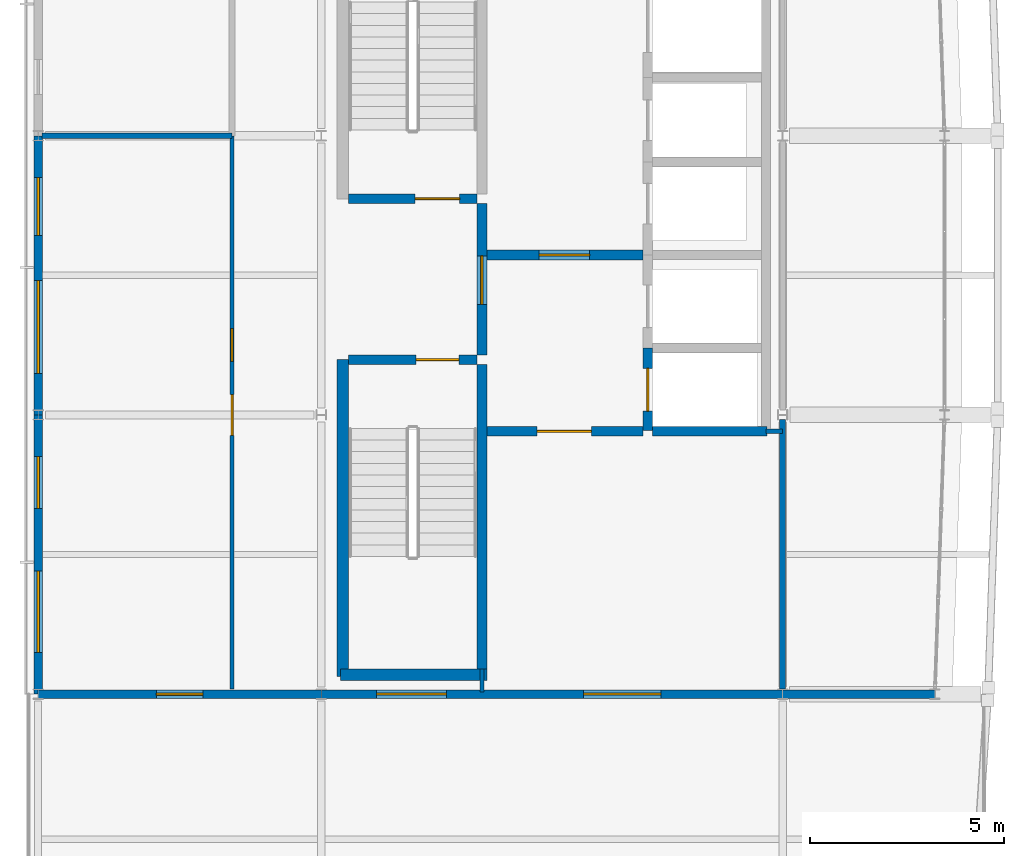
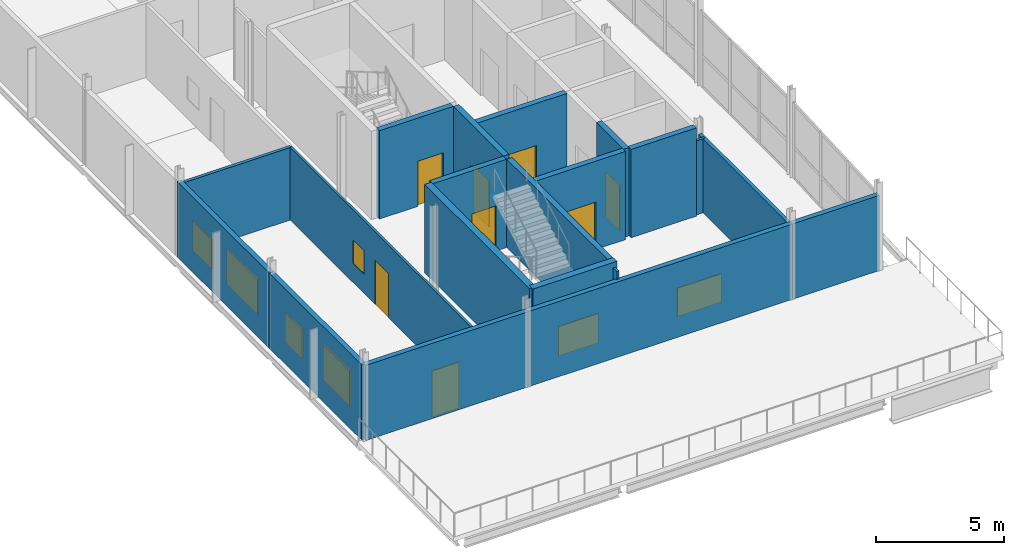
# One storey, part 13 of 17: 20 walls, 8 doors, 7 windows, 15 openings.
"""IFC4 building model written with IfcOpenShell, lengths in metres."""

from ifc_helpers import new_model, si_unit, direction, frame, frame_2d, origin, place, context, subcontext, project, spatial, rectangle, extrude, material, layer, layer_set, type_object, element, fill, save


model = new_model("IFC4")

# Units and contexts
model_context = context("Model", 3, precision=1e-05, world=origin(), true_north=direction((0.0, 1.0)))
body_context = subcontext(model_context, "Body", "Model", "MODEL_VIEW")
ifc_project = project(units=[si_unit("LENGTHUNIT", "METRE"), si_unit("AREAUNIT", "SQUARE_METRE"), si_unit("VOLUMEUNIT", "CUBIC_METRE"), si_unit("PLANEANGLEUNIT", "RADIAN"), si_unit("MASSUNIT", "GRAM", prefix="KILO")], contexts=[model_context])

# Site, building, storey
site_placement = place(None, origin())
site = spatial("IfcSite", under=ifc_project, at=site_placement, CompositionType="ELEMENT")
building_placement = place(site_placement, origin())
building = spatial("IfcBuilding", under=site, at=building_placement, Name="Quillay Park Conservatory", CompositionType="ELEMENT")
storey_placement = place(building_placement, frame((0.0, 0.0, 60.300048828125)))
storey = spatial("IfcBuildingStorey", under=building, at=storey_placement, Name="L14", CompositionType="ELEMENT", Elevation=60.300048828125)

# Wall, openings, window, door
ifc_material_1 = material(Name="Steel-Stud Acoustic Gypsum Board Partition", Category="steel")
ifc_layer_1 = layer(ifc_material_1, 0.10009765625)
ifc_layer_set_1 = layer_set([ifc_layer_1], Name="ACOUSTIC GYPSUM PARTITION 100 (Steel-Stud Acoustic Gypsum Board Partition)")
wall_type_1 = type_object("IfcWallType", Name="ACOUSTIC GYPSUM PARTITION 100", PredefinedType="PARTITIONING", material=ifc_layer_set_1)
wall_1_placement = place(storey_placement, frame((5.550048828125, 78.125, 0.0), z_axis=(0.0, 0.0, 1.0), x_axis=(0.0, 1.0, 0.0)))
wall_1 = element("IfcWall", 1, at=wall_1_placement, inside=storey, type_object=wall_type_1, Name="L14 Visiting Botanists Research Studio Corridor Wall", PredefinedType="PARTITIONING", context=body_context, shape_type="SweptSolid", body=[
    extrude(rectangle(XDim=14.27490234375, YDim=0.10009765625, at=frame_2d((7.137451171875, 0.0))), origin(), (0.0, 0.0, 1.0), 3.450927734375),
])
opening_1_placement = place(wall_1_placement, frame((6.550048828125, 0.0, 0.0)))
opening_1 = element("IfcOpeningElement", 2, at=opening_1_placement, cuts=wall_1, Name="Opening D-RM05", PredefinedType="OPENING", context=body_context, shape_type="SweptSolid", body=[
    extrude(rectangle(XDim=1.050048828125, YDim=2.10009765625, at=frame_2d((0.52490234375, 1.050048828125))), frame((0.0, 0.050048828125, 0.0), z_axis=(0.0, -1.0, 0.0), x_axis=(1.0, 0.0, 0.0)), (0.0, 0.0, 1.0), 0.10009765625),
])
opening_2_placement = place(wall_1_placement, frame((8.449951171875, 0.0, 0.919921875)))
opening_2 = element("IfcOpeningElement", 3, at=opening_2_placement, cuts=wall_1, Name="Opening W-IN01", PredefinedType="OPENING", context=body_context, shape_type="SweptSolid", body=[
    extrude(rectangle(XDim=0.85009765625, YDim=1.10009765625, at=frame_2d((0.425048828125, 0.550048828125))), frame((0.0, 0.050048828125, 0.0), z_axis=(0.0, -1.0, 0.0), x_axis=(1.0, 0.0, 0.0)), (0.0, 0.0, 1.0), 0.10009765625),
])
ifc_material_2 = material(Name="Low-E Double Glazing (Laminated Tempered)", Category="glass")
window_type_1 = type_object("IfcWindowType", Name="OPERABLE VENT WINDOW 850 X1100", PartitioningType="SINGLE_PANEL", PredefinedType="WINDOW", material=ifc_material_2)
window_1_placement = place(opening_2_placement, origin())
window_1 = element("IfcWindow", 4, at=window_1_placement, inside=storey, type_object=window_type_1, Name="L14 Laboratory Vision Panel 049", OverallHeight=1.10009765625, OverallWidth=0.85009765625, PartitioningType="SINGLE_PANEL", PredefinedType="WINDOW", context=body_context, shape_type="SweptSolid", body=[
    extrude(rectangle(XDim=0.85009765625, YDim=1.10009765625, at=frame_2d((0.425048828125, 0.550048828125))), frame((0.0, 0.030029296875, 0.0), z_axis=(0.0, -1.0, 0.0), x_axis=(1.0, 0.0, 0.0)), (0.0, 0.0, 1.0), 0.06005859375),
])
fill(opening_2, window_1)
ifc_material_3 = material(Name="Thermally Broken Anodised Aluminium 6063-T6", Category="aluminium")
door_type_1 = type_object("IfcDoorType", Name="SINGLE SWING DOOR 1050 X2100", OperationType="NOTDEFINED", PredefinedType="DOOR", material=ifc_material_3)
door_1_placement = place(opening_1_placement, origin())
door_1 = element("IfcDoor", 5, at=door_1_placement, inside=storey, type_object=door_type_1, Name="L14 Door to Visiting Botanists Research Studio", OperationType="SINGLE_SWING_LEFT", OverallHeight=2.10009765625, OverallWidth=1.050048828125, PredefinedType="DOOR", context=body_context, shape_type="SweptSolid", body=[
    extrude(rectangle(XDim=1.050048828125, YDim=2.10009765625, at=frame_2d((0.52490234375, 1.050048828125))), frame((0.0, 0.02490234375, 0.0), z_axis=(0.0, -1.0, 0.0), x_axis=(1.0, 0.0, 0.0)), (0.0, 0.0, 1.0), 0.050048828125),
])
fill(opening_1, door_1)

# Walls
ifc_material_4 = material(Name="Steel-Stud Acoustic Gypsum Board Partition", Category="steel")
ifc_layer_2 = layer(ifc_material_4, 0.10498046875)
ifc_layer_set_2 = layer_set([ifc_layer_2], Name="ACOUSTIC GYPSUM PARTITION 105 (Steel-Stud Acoustic Gypsum Board Partition)")
wall_type_2 = type_object("IfcWallType", Name="ACOUSTIC GYPSUM PARTITION 105", PredefinedType="PARTITIONING", material=ifc_layer_set_2)
wall_2_placement = place(storey_placement, frame((11.9951171875, 78.050048828125, 0.0), z_axis=(0.0, 0.0, 1.0), x_axis=(0.0, 1.0, 0.0)))
element("IfcWall", 6, at=wall_2_placement, inside=storey, type_object=wall_type_2, Name="L14 South Core West Pier Closure", PredefinedType="PARTITIONING", context=body_context, shape_type="SweptSolid", body=[
    extrude(rectangle(XDim=0.599853515625, YDim=0.10498046875, at=frame_2d((0.2998046875, 0.0))), origin(), (0.0, 0.0, 1.0), 3.949951171875),
])
ifc_material_5 = material(Name="Steel-Stud Acoustic Gypsum Board Partition", Category="steel")
ifc_layer_3 = layer(ifc_material_5, 0.114990234375)
ifc_layer_set_3 = layer_set([ifc_layer_3], Name="ACOUSTIC GYPSUM PARTITION 115 (Steel-Stud Acoustic Gypsum Board Partition)")
wall_type_3 = type_object("IfcWallType", Name="ACOUSTIC GYPSUM PARTITION 115", PredefinedType="PARTITIONING", material=ifc_layer_set_3)
wall_3_placement = place(storey_placement, frame((19.320068359375, 84.77490234375, 0.0), z_axis=(0.0, 0.0, 1.0), x_axis=(1.0, 0.0, 0.0)))
element("IfcWall", 7, at=wall_3_placement, inside=storey, type_object=wall_type_3, Name="L14 Core South-East Closure", PredefinedType="PARTITIONING", context=body_context, shape_type="SweptSolid", body=[
    extrude(rectangle(XDim=0.429931640625, YDim=0.114990234375, at=frame_2d((0.21484375, 0.0))), origin(), (0.0, 0.0, 1.0), 3.52685546875),
])
ifc_material_6 = material(Name="Steel-Stud Acoustic Gypsum Board Partition", Category="steel")
ifc_layer_4 = layer(ifc_material_6, 0.139892578125)
ifc_layer_set_4 = layer_set([ifc_layer_4], Name="ACOUSTIC GYPSUM PARTITION 140 (Steel-Stud Acoustic Gypsum Board Partition)")
wall_type_4 = type_object("IfcWallType", Name="ACOUSTIC GYPSUM PARTITION 140", PredefinedType="PARTITIONING", material=ifc_layer_set_4)
wall_4_placement = place(storey_placement, frame((0.64990234375, 92.39990234375, 0.0), z_axis=(0.0, 0.0, 1.0), x_axis=(1.0, 0.0, 0.0)))
element("IfcWall", 8, at=wall_4_placement, inside=storey, type_object=wall_type_4, Name="L14 West Divider 92", PredefinedType="PARTITIONING", context=body_context, shape_type="SweptSolid", body=[
    extrude(rectangle(XDim=4.900146484375, YDim=0.139892578125, at=frame_2d((2.4501953125, 0.0))), origin(), (0.0, 0.0, 1.0), 3.450927734375),
])
ifc_material_7 = material(Name="Steel-Stud Acoustic Gypsum Board Partition", Category="steel")
ifc_layer_5 = layer(ifc_material_7, 0.14990234375)
ifc_layer_set_5 = layer_set([ifc_layer_5], Name="ACOUSTIC GYPSUM PARTITION 150 (Steel-Stud Acoustic Gypsum Board Partition)")
wall_type_5 = type_object("IfcWallType", Name="ACOUSTIC GYPSUM PARTITION 150", PredefinedType="PARTITIONING", material=ifc_layer_set_5)
wall_5_placement = place(storey_placement, frame((19.75, 78.125, 0.0), z_axis=(0.0, 0.0, 1.0), x_axis=(0.0, 1.0, 0.0)))
element("IfcWall", 9, at=wall_5_placement, inside=storey, type_object=wall_type_5, Name="L14 Andean Cordillera Climate Observatory Studio West Wall 1", PredefinedType="PARTITIONING", context=body_context, shape_type="SweptSolid", body=[
    extrude(rectangle(XDim=6.951904296875, YDim=0.14990234375, at=frame_2d((3.47607421875, 0.0))), origin(), (0.0, 0.0, 1.0), 3.52685546875),
])
ifc_material_8 = material(Name="Concrete C40/50 (NCh170 Concrete C40/50)", Category="concrete")
ifc_layer_6 = layer(ifc_material_8, 0.25)
ifc_layer_set_6 = layer_set([ifc_layer_6], Name="CORE SHEAR WALL 250 (Concrete C40/50 (NCh170 Concrete C40/50))")
wall_type_6 = type_object("IfcWallType", Name="CORE SHEAR WALL 250", PredefinedType="SHEAR", material=ifc_layer_set_6)
wall_6_placement = place(storey_placement, frame((11.9951171875, 78.64990234375, 0.0), z_axis=(0.0, 0.0, 1.0), x_axis=(0.0, 1.0, 0.0)))
element("IfcWall", 10, at=wall_6_placement, inside=storey, type_object=wall_type_6, Name="L14 Core Shear Wall WL-T2E-L14", PredefinedType="SHEAR", context=body_context, shape_type="SweptSolid", body=[
    extrude(rectangle(XDim=7.85009765625, YDim=0.25, at=frame_2d((3.925048828125, 0.0))), origin(), (0.0, 0.0, 1.0), 4.199951171875),
])

# Wall, opening, door
wall_7_placement = place(storey_placement, frame((11.9951171875, 86.75, 0.0), z_axis=(0.0, 0.0, 1.0), x_axis=(0.0, 1.0, 0.0)))
wall_7 = element("IfcWall", 11, at=wall_7_placement, inside=storey, type_object=wall_type_6, Name="L14 Core Shear Wall WL-FFW-L14", PredefinedType="SHEAR", context=body_context, shape_type="SweptSolid", body=[
    extrude(rectangle(XDim=3.89990234375, YDim=0.25, at=frame_2d((1.949951171875, 0.0))), origin(), (0.0, 0.0, 1.0), 4.199951171875),
])
opening_3_placement = place(wall_7_placement, frame((1.300048828125, 0.0, 0.0)))
opening_3 = element("IfcOpeningElement", 12, at=opening_3_placement, cuts=wall_7, Name="Opening D-LB01", PredefinedType="OPENING", context=body_context, shape_type="SweptSolid", body=[
    extrude(rectangle(XDim=1.25, YDim=2.199951171875, at=frame_2d((0.625, 1.10009765625))), frame((0.0, 0.125, 0.0), z_axis=(0.0, -1.0, 0.0), x_axis=(1.0, 0.0, 0.0)), (0.0, 0.0, 1.0), 0.25),
])
ifc_material_9 = material(Name="Steel ASTM A572 Grade 50", Category="steel")
door_type_2 = type_object("IfcDoorType", Name="FIRE RATED LOBBY DOOR 1250 X2200", OperationType="NOTDEFINED", PredefinedType="DOOR", material=ifc_material_9)
door_2_placement = place(opening_3_placement, origin())
door_2 = element("IfcDoor", 13, at=door_2_placement, inside=storey, type_object=door_type_2, Name="L14 Firefighting Lobby Corridor Door", OperationType="SINGLE_SWING_LEFT", OverallHeight=2.199951171875, OverallWidth=1.25, PredefinedType="DOOR", context=body_context, shape_type="SweptSolid", body=[
    extrude(rectangle(XDim=1.25, YDim=2.199951171875, at=frame_2d((0.625, 1.10009765625))), frame((0.0, 0.02490234375, 0.0), z_axis=(0.0, -1.0, 0.0), x_axis=(1.0, 0.0, 0.0)), (0.0, 0.0, 1.0), 0.050048828125),
])
fill(opening_3, door_2)

wall_8_placement = place(storey_placement, frame((8.550048828125, 86.625, 0.0), z_axis=(0.0, 0.0, 1.0), x_axis=(1.0, 0.0, 0.0)))
wall_8 = element("IfcWall", 14, at=wall_8_placement, inside=storey, type_object=wall_type_6, Name="L14 Core Shear Wall WL-ST2D-L14", PredefinedType="SHEAR", context=body_context, shape_type="SweptSolid", body=[
    extrude(rectangle(XDim=3.320068359375, YDim=0.25, at=frame_2d((1.66015625, 0.0))), origin(), (0.0, 0.0, 1.0), 4.199951171875),
])
opening_4_placement = place(wall_8_placement, frame((1.75, 0.0, 0.0)))
opening_4 = element("IfcOpeningElement", 15, at=opening_4_placement, cuts=wall_8, Name="Opening D-ST01", PredefinedType="OPENING", context=body_context, shape_type="SweptSolid", body=[
    extrude(rectangle(XDim=1.10009765625, YDim=2.14990234375, at=frame_2d((0.550048828125, 1.074951171875))), frame((0.0, 0.125, 0.0), z_axis=(0.0, -1.0, 0.0), x_axis=(1.0, 0.0, 0.0)), (0.0, 0.0, 1.0), 0.25),
])
ifc_material_10 = material(Name="Steel ASTM A572 Grade 50", Category="steel")
door_type_3 = type_object("IfcDoorType", Name="FIRE RATED STAIR DOOR 1100 X2150", OperationType="NOTDEFINED", PredefinedType="DOOR", material=ifc_material_10)
door_3_placement = place(opening_4_placement, origin())
door_3 = element("IfcDoor", 16, at=door_3_placement, inside=storey, type_object=door_type_3, Name="L14 Protected Stair ST-T2 Door", OperationType="SINGLE_SWING_LEFT", OverallHeight=2.14990234375, OverallWidth=1.10009765625, PredefinedType="DOOR", context=body_context, shape_type="SweptSolid", body=[
    extrude(rectangle(XDim=1.10009765625, YDim=2.14990234375, at=frame_2d((0.550048828125, 1.074951171875))), frame((0.0, 0.02490234375, 0.0), z_axis=(0.0, -1.0, 0.0), x_axis=(1.0, 0.0, 0.0)), (0.0, 0.0, 1.0), 0.050048828125),
])
fill(opening_4, door_3)

wall_9_placement = place(storey_placement, frame((11.8701171875, 90.77490234375, 0.0), z_axis=(0.0, 0.0, 1.0), x_axis=(-1.0, 0.0, 0.0)))
wall_9 = element("IfcWall", 17, at=wall_9_placement, inside=storey, type_object=wall_type_6, Name="L14 Core Shear Wall WL-ST1D-L14", PredefinedType="SHEAR", context=body_context, shape_type="SweptSolid", body=[
    extrude(rectangle(XDim=3.320068359375, YDim=0.25, at=frame_2d((1.66015625, 0.0))), origin(), (0.0, 0.0, 1.0), 4.199951171875),
])
opening_5_placement = place(wall_9_placement, frame((0.449951171875, 0.0, 0.0)))
opening_5 = element("IfcOpeningElement", 18, at=opening_5_placement, cuts=wall_9, Name="Opening D-ST02", PredefinedType="OPENING", context=body_context, shape_type="SweptSolid", body=[
    extrude(rectangle(XDim=1.14990234375, YDim=2.14990234375, at=frame_2d((0.574951171875, 1.074951171875))), frame((0.0, 0.125, 0.0), z_axis=(0.0, -1.0, 0.0), x_axis=(1.0, 0.0, 0.0)), (0.0, 0.0, 1.0), 0.25),
])
ifc_material_11 = material(Name="Steel ASTM A572 Grade 50", Category="steel")
door_type_4 = type_object("IfcDoorType", Name="FIRE RATED STAIR DOOR 1150 X2150", OperationType="NOTDEFINED", PredefinedType="DOOR", material=ifc_material_11)
door_4_placement = place(opening_5_placement, origin())
door_4 = element("IfcDoor", 19, at=door_4_placement, inside=storey, type_object=door_type_4, Name="L14 Protected Stair ST-T1 Door", OperationType="SINGLE_SWING_RIGHT", OverallHeight=2.14990234375, OverallWidth=1.14990234375, PredefinedType="DOOR", context=body_context, shape_type="SweptSolid", body=[
    extrude(rectangle(XDim=1.14990234375, YDim=2.14990234375, at=frame_2d((0.574951171875, 1.074951171875))), frame((0.0, 0.02490234375, 0.0), z_axis=(0.0, -1.0, 0.0), x_axis=(1.0, 0.0, 0.0)), (0.0, 0.0, 1.0), 0.050048828125),
])
fill(opening_5, door_4)

wall_10_placement = place(storey_placement, frame((12.1201171875, 89.324951171875, 0.0), z_axis=(0.0, 0.0, 1.0), x_axis=(1.0, 0.0, 0.0)))
wall_10 = element("IfcWall", 20, at=wall_10_placement, inside=storey, type_object=wall_type_6, Name="L14 Core Shear Wall WL-FFDIV-L14", PredefinedType="SHEAR", context=body_context, shape_type="SweptSolid", body=[
    extrude(rectangle(XDim=4.02978515625, YDim=0.25, at=frame_2d((2.014892578125, 0.0))), origin(), (0.0, 0.0, 1.0), 4.199951171875),
])
opening_6_placement = place(wall_10_placement, frame((1.35009765625, 0.0, 0.0)))
opening_6 = element("IfcOpeningElement", 21, at=opening_6_placement, cuts=wall_10, Name="Opening D-LB02", PredefinedType="OPENING", context=body_context, shape_type="SweptSolid", body=[
    extrude(rectangle(XDim=1.300048828125, YDim=2.199951171875, at=frame_2d((0.64990234375, 1.10009765625))), frame((0.0, 0.125, 0.0), z_axis=(0.0, -1.0, 0.0), x_axis=(1.0, 0.0, 0.0)), (0.0, 0.0, 1.0), 0.25),
])
ifc_material_12 = material(Name="Steel ASTM A572 Grade 50", Category="steel")
door_type_5 = type_object("IfcDoorType", Name="FIRE RATED LOBBY DOOR 1300 X2200", OperationType="NOTDEFINED", PredefinedType="DOOR", material=ifc_material_12)
door_5_placement = place(opening_6_placement, origin())
door_5 = element("IfcDoor", 22, at=door_5_placement, inside=storey, type_object=door_type_5, Name="L14 Firefighting to Passenger Lobby Door", OperationType="SINGLE_SWING_LEFT", OverallHeight=2.199951171875, OverallWidth=1.300048828125, PredefinedType="DOOR", context=body_context, shape_type="SweptSolid", body=[
    extrude(rectangle(XDim=1.300048828125, YDim=2.199951171875, at=frame_2d((0.64990234375, 1.10009765625))), frame((0.0, 0.02490234375, 0.0), z_axis=(0.0, -1.0, 0.0), x_axis=(1.0, 0.0, 0.0)), (0.0, 0.0, 1.0), 0.050048828125),
])
fill(opening_6, door_5)

wall_11_placement = place(storey_placement, frame((12.1201171875, 84.77490234375, 0.0), z_axis=(0.0, 0.0, 1.0), x_axis=(1.0, 0.0, 0.0)))
wall_11 = element("IfcWall", 23, at=wall_11_placement, inside=storey, type_object=wall_type_6, Name="L14 Core Shear Wall WL-FFS-L14", PredefinedType="SHEAR", context=body_context, shape_type="SweptSolid", body=[
    extrude(rectangle(XDim=4.02978515625, YDim=0.25, at=frame_2d((2.014892578125, 0.0))), origin(), (0.0, 0.0, 1.0), 4.199951171875),
])
opening_7_placement = place(wall_11_placement, frame((1.300048828125, 0.0, 0.0)))
opening_7 = element("IfcOpeningElement", 24, at=opening_7_placement, cuts=wall_11, Name="Opening D-LB03", PredefinedType="OPENING", context=body_context, shape_type="SweptSolid", body=[
    extrude(rectangle(XDim=1.39990234375, YDim=2.25, at=frame_2d((0.699951171875, 1.125))), frame((0.0, 0.125, 0.0), z_axis=(0.0, -1.0, 0.0), x_axis=(1.0, 0.0, 0.0)), (0.0, 0.0, 1.0), 0.25),
])
ifc_material_13 = material(Name="Steel ASTM A572 Grade 50", Category="steel")
door_type_6 = type_object("IfcDoorType", Name="FIRE RATED LOBBY DOOR 1400 X2250", OperationType="NOTDEFINED", PredefinedType="DOOR", material=ifc_material_13)
door_6_placement = place(opening_7_placement, origin())
door_6 = element("IfcDoor", 25, at=door_6_placement, inside=storey, type_object=door_type_6, Name="L14 South Core Lobby Door", OperationType="SINGLE_SWING_RIGHT", OverallHeight=2.25, OverallWidth=1.39990234375, PredefinedType="DOOR", context=body_context, shape_type="SweptSolid", body=[
    extrude(rectangle(XDim=1.39990234375, YDim=2.25, at=frame_2d((0.699951171875, 1.125))), frame((0.0, 0.02490234375, 0.0), z_axis=(0.0, -1.0, 0.0), x_axis=(1.0, 0.0, 0.0)), (0.0, 0.0, 1.0), 0.050048828125),
])
fill(opening_7, door_6)

# Wall
wall_12_placement = place(storey_placement, frame((16.39990234375, 84.77490234375, 0.0), z_axis=(0.0, 0.0, 1.0), x_axis=(1.0, 0.0, 0.0)))
element("IfcWall", 26, at=wall_12_placement, inside=storey, type_object=wall_type_6, Name="L14 Core Shear Wall WL-LFSO-L14", PredefinedType="SHEAR", context=body_context, shape_type="SweptSolid", body=[
    extrude(rectangle(XDim=2.9501953125, YDim=0.25, at=frame_2d((1.47509765625, 0.0))), origin(), (0.0, 0.0, 1.0), 4.199951171875),
])

# Wall, opening, door
wall_13_placement = place(storey_placement, frame((16.27490234375, 84.800048828125, 0.0), z_axis=(0.0, 0.0, 1.0), x_axis=(0.0, 1.0, 0.0)))
wall_13 = element("IfcWall", 27, at=wall_13_placement, inside=storey, type_object=wall_type_6, Name="L14 Core Shear Wall WL-LFFR-L14-LF-FF1", PredefinedType="SHEAR", context=body_context, shape_type="SweptSolid", body=[
    extrude(rectangle(XDim=2.125, YDim=0.25, at=frame_2d((1.0625, 0.0))), origin(), (0.0, 0.0, 1.0), 4.199951171875),
])
opening_8_placement = place(wall_13_placement, frame((0.5, 0.0, 0.0)))
opening_8 = element("IfcOpeningElement", 28, at=opening_8_placement, cuts=wall_13, Name="Opening LD01", PredefinedType="OPENING", context=body_context, shape_type="SweptSolid", body=[
    extrude(rectangle(XDim=1.10009765625, YDim=2.14990234375, at=frame_2d((0.550048828125, 1.074951171875))), frame((0.0, 0.125, 0.0), z_axis=(0.0, -1.0, 0.0), x_axis=(1.0, 0.0, 0.0)), (0.0, 0.0, 1.0), 0.25),
])
ifc_material_14 = material(Name="Steel ASTM A572 Grade 50", Category="steel")
door_type_7 = type_object("IfcDoorType", Name="LIFT LANDING SLIDING DOOR 1100 X2150", OperationType="NOTDEFINED", PredefinedType="DOOR", material=ifc_material_14)
door_7_placement = place(opening_8_placement, origin())
door_7 = element("IfcDoor", 29, at=door_7_placement, inside=storey, type_object=door_type_7, Name="L14 LF-FF1 Lift Landing Door LD01", OperationType="SLIDING_TO_LEFT", OverallHeight=2.14990234375, OverallWidth=1.10009765625, PredefinedType="DOOR", context=body_context, shape_type="SweptSolid", body=[
    extrude(rectangle(XDim=1.10009765625, YDim=2.14990234375, at=frame_2d((0.550048828125, 1.074951171875))), frame((0.0, 0.02490234375, 0.0), z_axis=(0.0, -1.0, 0.0), x_axis=(1.0, 0.0, 0.0)), (0.0, 0.0, 1.0), 0.050048828125),
])
fill(opening_8, door_7)

# Walls
ifc_material_15 = material(Name="Concrete C40/50 (NCh170 Concrete C40/50)", Category="concrete")
ifc_layer_7 = layer(ifc_material_15, 0.300048828125)
ifc_layer_set_7 = layer_set([ifc_layer_7], Name="CORE SHEAR WALL 300 (Concrete C40/50 (NCh170 Concrete C40/50))")
wall_type_7 = type_object("IfcWallType", Name="CORE SHEAR WALL 300", PredefinedType="SHEAR", material=ifc_layer_set_7)
wall_14_placement = place(storey_placement, frame((8.39990234375, 78.449951171875, 0.0), z_axis=(0.0, 0.0, 1.0), x_axis=(0.0, 1.0, 0.0)))
element("IfcWall", 30, at=wall_14_placement, inside=storey, type_object=wall_type_7, Name="L14 Core Shear Wall WL-TCW-S-L14", PredefinedType="SHEAR", context=body_context, shape_type="SweptSolid", body=[
    extrude(rectangle(XDim=8.175048828125, YDim=0.300048828125, at=frame_2d((4.08740234375, 0.0))), origin(), (0.0, 0.0, 1.0), 4.199951171875),
])
wall_15_placement = place(storey_placement, frame((8.35009765625, 78.5, 0.0), z_axis=(0.0, 0.0, 1.0), x_axis=(1.0, 0.0, 0.0)))
element("IfcWall", 31, at=wall_15_placement, inside=storey, type_object=wall_type_7, Name="L14 Core Shear Wall WL-TCS-L14", PredefinedType="SHEAR", context=body_context, shape_type="SweptSolid", body=[
    extrude(rectangle(XDim=3.77001953125, YDim=0.300048828125, at=frame_2d((1.885009765625, 0.0))), origin(), (0.0, 0.0, 1.0), 4.199951171875),
])

# Wall, openings, windows
ifc_material_16 = material(Name="Glass-Fibre Reinforced Concrete (GRC) Cladding", Category="concrete")
ifc_layer_8 = layer(ifc_material_16, 0.219970703125)
ifc_layer_set_8 = layer_set([ifc_layer_8], Name="EXTERIOR SOLID WALL 220 (Glass-Fibre Reinforced Concrete (GRC) Cladding)")
wall_type_8 = type_object("IfcWallType", Name="EXTERIOR SOLID WALL 220", PredefinedType="SOLIDWALL", material=ifc_layer_set_8)
wall_16_placement = place(storey_placement, frame((0.550048828125, 78.0, 0.0), z_axis=(0.0, 0.0, 1.0), x_axis=(0.0, 1.0, 0.0)))
wall_16 = element("IfcWall", 32, at=wall_16_placement, inside=storey, type_object=wall_type_8, Name="L14 External Wall WL-EXT-V4W-L14-0", PredefinedType="SOLIDWALL", context=body_context, shape_type="SweptSolid", body=[
    extrude(rectangle(XDim=7.199951171875, YDim=0.219970703125, at=frame_2d((3.60009765625, 0.0))), origin(), (0.0, 0.0, 1.0), 3.576904296875),
])
opening_9_placement = place(wall_16_placement, frame((1.070068359375, 0.0, 0.919921875)))
opening_9 = element("IfcOpeningElement", 33, at=opening_9_placement, cuts=wall_16, Name="Opening W-15", PredefinedType="OPENING", context=body_context, shape_type="SweptSolid", body=[
    extrude(rectangle(XDim=2.10009765625, YDim=1.699951171875, at=frame_2d((1.050048828125, 0.85009765625))), frame((0.0, 0.10986328125, 0.0), z_axis=(0.0, -1.0, 0.0), x_axis=(1.0, 0.0, 0.0)), (0.0, 0.0, 1.0), 0.219970703125),
])
opening_10_placement = place(wall_16_placement, frame((4.780029296875, 0.0, 0.919921875)))
opening_10 = element("IfcOpeningElement", 34, at=opening_10_placement, cuts=wall_16, Name="Opening W-02", PredefinedType="OPENING", context=body_context, shape_type="SweptSolid", body=[
    extrude(rectangle(XDim=1.35009765625, YDim=1.39990234375, at=frame_2d((0.675048828125, 0.699951171875))), frame((0.0, 0.10986328125, 0.0), z_axis=(0.0, -1.0, 0.0), x_axis=(1.0, 0.0, 0.0)), (0.0, 0.0, 1.0), 0.219970703125),
])
ifc_material_17 = material(Name="Low-E Double Glazing (Laminated Tempered)", Category="glass")
window_type_2 = type_object("IfcWindowType", Name="FIXED CASEMENT WINDOW 1350 X1400", PartitioningType="SINGLE_PANEL", PredefinedType="WINDOW", material=ifc_material_17)
window_2_placement = place(opening_10_placement, origin())
window_2 = element("IfcWindow", 35, at=window_2_placement, inside=storey, type_object=window_type_2, Name="L14 Exterior Window 0305", OverallHeight=1.39990234375, OverallWidth=1.35009765625, PartitioningType="SINGLE_PANEL", PredefinedType="WINDOW", context=body_context, shape_type="SweptSolid", body=[
    extrude(rectangle(XDim=1.35009765625, YDim=1.39990234375, at=frame_2d((0.675048828125, 0.699951171875))), frame((0.0, 0.030029296875, 0.0), z_axis=(0.0, -1.0, 0.0), x_axis=(1.0, 0.0, 0.0)), (0.0, 0.0, 1.0), 0.06005859375),
])
fill(opening_10, window_2)
ifc_material_18 = material(Name="Low-E Double Glazing (Laminated Tempered)", Category="glass")
window_type_3 = type_object("IfcWindowType", Name="FIXED CASEMENT WINDOW 2100 X1700", PartitioningType="DOUBLE_PANEL_VERTICAL", PredefinedType="WINDOW", material=ifc_material_18)
window_3_placement = place(opening_9_placement, origin())
window_3 = element("IfcWindow", 36, at=window_3_placement, inside=storey, type_object=window_type_3, Name="L14 Exterior Window 0304", OverallHeight=1.699951171875, OverallWidth=2.10009765625, PartitioningType="DOUBLE_PANEL_VERTICAL", PredefinedType="WINDOW", context=body_context, shape_type="SweptSolid", body=[
    extrude(rectangle(XDim=2.10009765625, YDim=1.699951171875, at=frame_2d((1.050048828125, 0.85009765625))), frame((0.0, 0.030029296875, 0.0), z_axis=(0.0, -1.0, 0.0), x_axis=(1.0, 0.0, 0.0)), (0.0, 0.0, 1.0), 0.06005859375),
])
fill(opening_9, window_3)

wall_17_placement = place(storey_placement, frame((0.550048828125, 85.199951171875, 0.0), z_axis=(0.0, 0.0, 1.0), x_axis=(0.0, 1.0, 0.0)))
wall_17 = element("IfcWall", 37, at=wall_17_placement, inside=storey, type_object=wall_type_8, Name="L14 External Wall WL-EXT-V4W-L14-1", PredefinedType="SOLIDWALL", context=body_context, shape_type="SweptSolid", body=[
    extrude(rectangle(XDim=7.199951171875, YDim=0.219970703125, at=frame_2d((3.60009765625, 0.0))), origin(), (0.0, 0.0, 1.0), 3.576904296875),
])
opening_11_placement = place(wall_17_placement, frame((1.070068359375, 0.0, 0.919921875)))
opening_11 = element("IfcOpeningElement", 38, at=opening_11_placement, cuts=wall_17, Name="Opening W-16", PredefinedType="OPENING", context=body_context, shape_type="SweptSolid", body=[
    extrude(rectangle(XDim=2.39990234375, YDim=1.699951171875, at=frame_2d((1.199951171875, 0.85009765625))), frame((0.0, 0.10986328125, 0.0), z_axis=(0.0, -1.0, 0.0), x_axis=(1.0, 0.0, 0.0)), (0.0, 0.0, 1.0), 0.219970703125),
])
opening_12_placement = place(wall_17_placement, frame((4.6298828125, 0.0, 0.919921875)))
opening_12 = element("IfcOpeningElement", 39, at=opening_12_placement, cuts=wall_17, Name="Opening W-03", PredefinedType="OPENING", context=body_context, shape_type="SweptSolid", body=[
    extrude(rectangle(XDim=1.5, YDim=1.39990234375, at=frame_2d((0.75, 0.699951171875))), frame((0.0, 0.10986328125, 0.0), z_axis=(0.0, -1.0, 0.0), x_axis=(1.0, 0.0, 0.0)), (0.0, 0.0, 1.0), 0.219970703125),
])
ifc_material_19 = material(Name="Low-E Double Glazing (Laminated Tempered)", Category="glass")
window_type_4 = type_object("IfcWindowType", Name="FIXED CASEMENT WINDOW 1500 X1400", PartitioningType="SINGLE_PANEL", PredefinedType="WINDOW", material=ifc_material_19)
window_4_placement = place(opening_12_placement, origin())
window_4 = element("IfcWindow", 40, at=window_4_placement, inside=storey, type_object=window_type_4, Name="L14 Exterior Window 0307", OverallHeight=1.39990234375, OverallWidth=1.5, PartitioningType="SINGLE_PANEL", PredefinedType="WINDOW", context=body_context, shape_type="SweptSolid", body=[
    extrude(rectangle(XDim=1.5, YDim=1.39990234375, at=frame_2d((0.75, 0.699951171875))), frame((0.0, 0.030029296875, 0.0), z_axis=(0.0, -1.0, 0.0), x_axis=(1.0, 0.0, 0.0)), (0.0, 0.0, 1.0), 0.06005859375),
])
fill(opening_12, window_4)
ifc_material_20 = material(Name="Low-E Double Glazing (Laminated Tempered)", Category="glass")
window_type_5 = type_object("IfcWindowType", Name="FIXED CASEMENT WINDOW 2400 X1700", PartitioningType="DOUBLE_PANEL_VERTICAL", PredefinedType="WINDOW", material=ifc_material_20)
window_5_placement = place(opening_11_placement, origin())
window_5 = element("IfcWindow", 41, at=window_5_placement, inside=storey, type_object=window_type_5, Name="L14 Exterior Window 0306", OverallHeight=1.699951171875, OverallWidth=2.39990234375, PartitioningType="DOUBLE_PANEL_VERTICAL", PredefinedType="WINDOW", context=body_context, shape_type="SweptSolid", body=[
    extrude(rectangle(XDim=2.39990234375, YDim=1.699951171875, at=frame_2d((1.199951171875, 0.85009765625))), frame((0.0, 0.030029296875, 0.0), z_axis=(0.0, -1.0, 0.0), x_axis=(1.0, 0.0, 0.0)), (0.0, 0.0, 1.0), 0.06005859375),
])
fill(opening_11, window_5)

# Wall, opening, door
wall_18_placement = place(storey_placement, frame((7.85009765625, 78.0, 0.0), z_axis=(0.0, 0.0, 1.0), x_axis=(-1.0, 0.0, 0.0)))
wall_18 = element("IfcWall", 42, at=wall_18_placement, inside=storey, type_object=wall_type_8, Name="L14 External Wall WL-EXT-V4S1-L14", PredefinedType="SOLIDWALL", context=body_context, shape_type="SweptSolid", body=[
    extrude(rectangle(XDim=7.300048828125, YDim=0.219970703125, at=frame_2d((3.64990234375, 0.0))), origin(), (0.0, 0.0, 1.0), 3.576904296875),
])
opening_13_placement = place(wall_18_placement, frame((3.050048828125, 0.0, 0.0)))
opening_13 = element("IfcOpeningElement", 43, at=opening_13_placement, cuts=wall_18, Name="Opening D-TR02", PredefinedType="OPENING", context=body_context, shape_type="SweptSolid", body=[
    extrude(rectangle(XDim=1.199951171875, YDim=2.199951171875, at=frame_2d((0.60009765625, 1.10009765625))), frame((0.0, 0.10986328125, 0.0), z_axis=(0.0, -1.0, 0.0), x_axis=(1.0, 0.0, 0.0)), (0.0, 0.0, 1.0), 0.219970703125),
])
ifc_material_21 = material(Name="Thermally Broken Anodised Aluminium 6063-T6", Category="aluminium")
door_type_8 = type_object("IfcDoorType", Name="TERRACE GLAZED DOOR 1200 X2200", OperationType="NOTDEFINED", PredefinedType="DOOR", material=ifc_material_21)
door_8_placement = place(opening_13_placement, origin())
door_8 = element("IfcDoor", 44, at=door_8_placement, inside=storey, type_object=door_type_8, Name="L14 Andean Horizon Sky Terrace Door", OperationType="SINGLE_SWING_RIGHT", OverallHeight=2.199951171875, OverallWidth=1.199951171875, PredefinedType="DOOR", context=body_context, shape_type="SweptSolid", body=[
    extrude(rectangle(XDim=1.199951171875, YDim=2.199951171875, at=frame_2d((0.60009765625, 1.10009765625))), frame((0.0, 0.02490234375, 0.0), z_axis=(0.0, -1.0, 0.0), x_axis=(1.0, 0.0, 0.0)), (0.0, 0.0, 1.0), 0.050048828125),
])
fill(opening_13, door_8)

# Wall, openings, windows
wall_19_placement = place(storey_placement, frame((19.75, 78.0, 0.0), z_axis=(0.0, 0.0, 1.0), x_axis=(-1.0, 0.0, 0.0)))
wall_19 = element("IfcWall", 45, at=wall_19_placement, inside=storey, type_object=wall_type_8, Name="L14 External Wall WL-EXT-V4S2-L14", PredefinedType="SOLIDWALL", context=body_context, shape_type="SweptSolid", body=[
    extrude(rectangle(XDim=11.89990234375, YDim=0.219970703125, at=frame_2d((5.949951171875, 0.0))), origin(), (0.0, 0.0, 1.0), 3.576904296875),
])
opening_14_placement = place(wall_19_placement, frame((3.132568359375, 0.0, 0.919921875)))
opening_14 = element("IfcOpeningElement", 46, at=opening_14_placement, cuts=wall_19, Name="Opening W-20", PredefinedType="OPENING", context=body_context, shape_type="SweptSolid", body=[
    extrude(rectangle(XDim=2.0, YDim=1.35009765625, at=frame_2d((1.0, 0.675048828125))), frame((0.0, 0.10986328125, 0.0), z_axis=(0.0, -1.0, 0.0), x_axis=(1.0, 0.0, 0.0)), (0.0, 0.0, 1.0), 0.219970703125),
])
opening_15_placement = place(wall_19_placement, frame((8.672607421875, 0.0, 0.919921875)))
opening_15 = element("IfcOpeningElement", 47, at=opening_15_placement, cuts=wall_19, Name="Opening W-05", PredefinedType="OPENING", context=body_context, shape_type="SweptSolid", body=[
    extrude(rectangle(XDim=1.800048828125, YDim=1.39990234375, at=frame_2d((0.89990234375, 0.699951171875))), frame((0.0, 0.10986328125, 0.0), z_axis=(0.0, -1.0, 0.0), x_axis=(1.0, 0.0, 0.0)), (0.0, 0.0, 1.0), 0.219970703125),
])
ifc_material_22 = material(Name="Low-E Double Glazing (Laminated Tempered)", Category="glass")
window_type_6 = type_object("IfcWindowType", Name="FIXED CASEMENT WINDOW 1800 X1400", PartitioningType="DOUBLE_PANEL_VERTICAL", PredefinedType="WINDOW", material=ifc_material_22)
window_6_placement = place(opening_15_placement, origin())
window_6 = element("IfcWindow", 48, at=window_6_placement, inside=storey, type_object=window_type_6, Name="L14 Exterior Window 0315", OverallHeight=1.39990234375, OverallWidth=1.800048828125, PartitioningType="DOUBLE_PANEL_VERTICAL", PredefinedType="WINDOW", context=body_context, shape_type="SweptSolid", body=[
    extrude(rectangle(XDim=1.800048828125, YDim=1.39990234375, at=frame_2d((0.89990234375, 0.699951171875))), frame((0.0, 0.030029296875, 0.0), z_axis=(0.0, -1.0, 0.0), x_axis=(1.0, 0.0, 0.0)), (0.0, 0.0, 1.0), 0.06005859375),
])
fill(opening_15, window_6)
ifc_material_23 = material(Name="Low-E Double Glazing (Laminated Tempered)", Category="glass")
window_type_7 = type_object("IfcWindowType", Name="FIXED CASEMENT WINDOW 2000 X1350", PartitioningType="DOUBLE_PANEL_VERTICAL", PredefinedType="WINDOW", material=ifc_material_23)
window_7_placement = place(opening_14_placement, origin())
window_7 = element("IfcWindow", 49, at=window_7_placement, inside=storey, type_object=window_type_7, Name="L14 Exterior Window 0314", OverallHeight=1.35009765625, OverallWidth=2.0, PartitioningType="DOUBLE_PANEL_VERTICAL", PredefinedType="WINDOW", context=body_context, shape_type="SweptSolid", body=[
    extrude(rectangle(XDim=2.0, YDim=1.35009765625, at=frame_2d((1.0, 0.675048828125))), frame((0.0, 0.030029296875, 0.0), z_axis=(0.0, -1.0, 0.0), x_axis=(1.0, 0.0, 0.0)), (0.0, 0.0, 1.0), 0.06005859375),
])
fill(opening_14, window_7)

# Wall
wall_20_placement = place(storey_placement, frame((23.675048828125, 78.0, 0.0), z_axis=(0.0, 0.0, 1.0), x_axis=(-1.0, 0.0, 0.0)))
element("IfcWall", 50, at=wall_20_placement, inside=storey, type_object=wall_type_8, Name="L14 External Wall WL-EXT-V4S3-L14", PredefinedType="SOLIDWALL", context=body_context, shape_type="SweptSolid", body=[
    extrude(rectangle(XDim=3.925048828125, YDim=0.219970703125, at=frame_2d((1.96240234375, 0.0))), origin(), (0.0, 0.0, 1.0), 3.576904296875),
])

save(model, "model.ifc")
